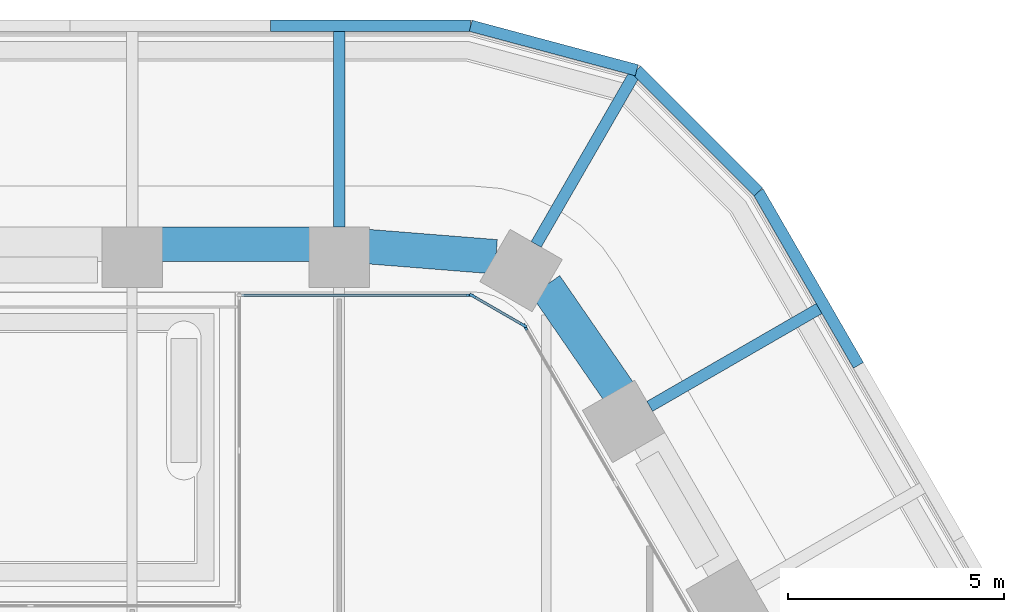
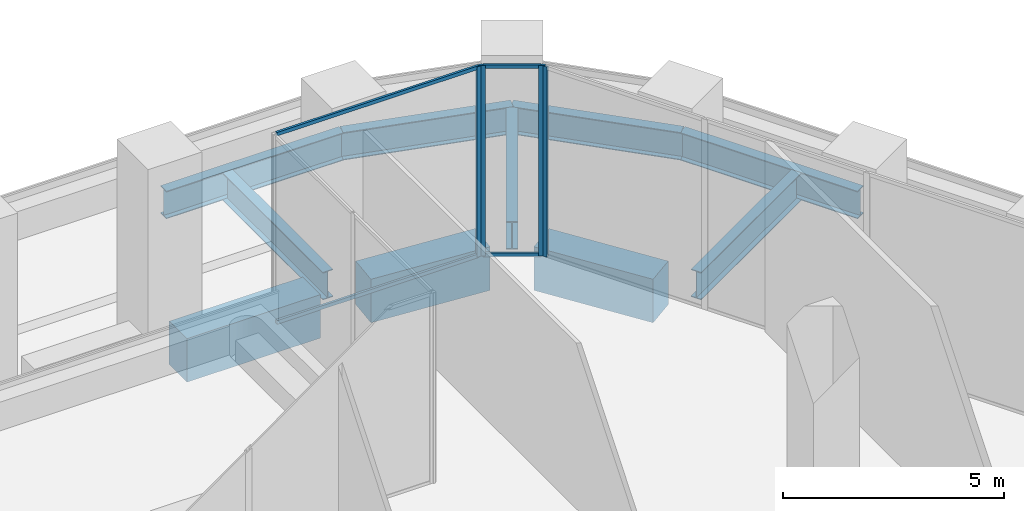
# One storey, part 15 of 30: 10 beams, 8 members, 3 elements without a shape of their own.
"""IFC4 building model written with IfcOpenShell, lengths in metres."""

from ifc_helpers import new_model, si_unit, direction, frame, origin, origin_2d, place, context, subcontext, project, spatial, rectangle, i_section, extrude, material, material_profile, profile_set, type_object, element, aggregate, save


model = new_model("IFC4")

# Units and contexts
model_context = context("Model", 3, precision=1e-05, world=origin(), true_north=direction((0.0, 1.0)))
body_context = subcontext(model_context, "Body", "Model", "MODEL_VIEW")
ifc_project = project(units=[si_unit("LENGTHUNIT", "METRE"), si_unit("AREAUNIT", "SQUARE_METRE"), si_unit("VOLUMEUNIT", "CUBIC_METRE"), si_unit("PLANEANGLEUNIT", "RADIAN"), si_unit("MASSUNIT", "GRAM", prefix="KILO")], contexts=[model_context])

# Site, building, storey
site_placement = place(None, origin())
site = spatial("IfcSite", under=ifc_project, at=site_placement, CompositionType="ELEMENT")
building_placement = place(site_placement, origin())
building = spatial("IfcBuilding", under=site, at=building_placement, Name="Kolab Exchange Tower", CompositionType="ELEMENT")
storey_placement = place(building_placement, frame((0.0, 0.0, 38.89990234375)))
storey = spatial("IfcBuildingStorey", under=building, at=storey_placement, Name="L07", CompositionType="ELEMENT", Elevation=38.89990234375)

# Beams
ifc_material_1 = material(Name="Steel S355", Category="steel")
ifc_material_profile_1 = material_profile(ifc_material_1, i_section(OverallWidth=0.26708984375, OverallDepth=0.761962890625, WebThickness=0.014404296875, FlangeThickness=0.021484375, at=origin_2d()), Name="W760X173")
ifc_profile_set_1 = profile_set([ifc_material_profile_1], Name="Steel S355")
beam_type_1 = type_object("IfcBeamType", Name="FLOOR GIRDER W760X173", PredefinedType="BEAM", material=ifc_profile_set_1)
beam_1_placement = place(storey_placement, frame((14.39990234375, 33.25537109375, -0.69091796875), z_axis=(0.0, 1.0, 0.0), x_axis=(-1.0, 0.0, 0.0)))
element("IfcBeam", 1, at=beam_1_placement, inside=storey, type_object=beam_type_1, Name="beam/L07/ledge/rib-07", PredefinedType="BEAM", context=body_context, shape_type="SweptSolid", body=[
    extrude(i_section(OverallWidth=0.26708984375, OverallDepth=0.761962890625, WebThickness=0.014404296875, FlangeThickness=0.021484375, at=origin_2d()), origin(), (0.0, 0.0, 1.0), 4.532958984375),
])
beam_2_placement = place(storey_placement, frame((18.968017578125, 32.853515625, -0.69091796875), z_axis=(0.499991315771, 0.866030417568, 0.0), x_axis=(-0.866030417568, 0.499991315771, 0.0)))
element("IfcBeam", 2, at=beam_2_placement, inside=storey, type_object=beam_type_1, Name="beam/L07/ledge/rib-08", PredefinedType="BEAM", context=body_context, shape_type="SweptSolid", body=[
    extrude(i_section(OverallWidth=0.26708984375, OverallDepth=0.761962890625, WebThickness=0.014404296875, FlangeThickness=0.021484375, at=origin_2d()), origin(), (0.0, 0.0, 1.0), 4.53271484375),
])
beam_3_placement = place(storey_placement, frame((21.60009765625, 29.098388671875, -0.69091796875), z_axis=(0.866007095043, 0.500031710329, 0.0), x_axis=(-0.500031710329, 0.866007095043, 0.0)))
element("IfcBeam", 3, at=beam_3_placement, inside=storey, type_object=beam_type_1, Name="beam/L07/ledge/rib-09", PredefinedType="BEAM", context=body_context, shape_type="SweptSolid", body=[
    extrude(i_section(OverallWidth=0.26708984375, OverallDepth=0.761962890625, WebThickness=0.014404296875, FlangeThickness=0.021484375, at=origin_2d()), origin(), (0.0, 0.0, 1.0), 4.532958984375),
])
beam_4_placement = place(storey_placement, frame((12.80517578125, 37.921875, -0.69091796875), z_axis=(1.0, 0.0, 0.0), x_axis=(0.0, 1.0, 0.0)))
element("IfcBeam", 4, at=beam_4_placement, inside=storey, type_object=beam_type_1, Name="beam/L07/ledge/edge-08", PredefinedType="BEAM", context=body_context, shape_type="SweptSolid", body=[
    extrude(i_section(OverallWidth=0.26708984375, OverallDepth=0.761962890625, WebThickness=0.014404296875, FlangeThickness=0.021484375, at=origin_2d()), origin(), (0.0, 0.0, 1.0), 4.64501953125),
])
beam_5_placement = place(storey_placement, frame((17.4501953125, 37.921875, -0.69091796875), z_axis=(0.965925076742, -0.258821842436, 0.0), x_axis=(0.258821842436, 0.965925076742, 0.0)))
element("IfcBeam", 5, at=beam_5_placement, inside=storey, type_object=beam_type_1, Name="beam/L07/ledge/edge-09", PredefinedType="BEAM", context=body_context, shape_type="SweptSolid", body=[
    extrude(i_section(OverallWidth=0.26708984375, OverallDepth=0.761962890625, WebThickness=0.014404296875, FlangeThickness=0.021484375, at=origin_2d()), origin(), (0.0, 0.0, 1.0), 3.984375),
])
beam_6_placement = place(storey_placement, frame((21.298828125, 36.890625, -0.69091796875), z_axis=(0.707137419059, -0.707076141986, 0.0), x_axis=(0.707076141986, 0.707137419059, 0.0)))
element("IfcBeam", 6, at=beam_6_placement, inside=storey, type_object=beam_type_1, Name="beam/L07/ledge/edge-10", PredefinedType="BEAM", context=body_context, shape_type="SweptSolid", body=[
    extrude(i_section(OverallWidth=0.26708984375, OverallDepth=0.761962890625, WebThickness=0.014404296875, FlangeThickness=0.021484375, at=origin_2d()), origin(), (0.0, 0.0, 1.0), 3.984130859375),
])
beam_7_placement = place(storey_placement, frame((24.1162109375, 34.073486328125, -0.69091796875), z_axis=(0.499977226672, -0.866038551572, 0.0), x_axis=(0.866038551572, 0.499977226672, 0.0)))
element("IfcBeam", 7, at=beam_7_placement, inside=storey, type_object=beam_type_1, Name="beam/L07/ledge/edge-11", PredefinedType="BEAM", context=body_context, shape_type="SweptSolid", body=[
    extrude(i_section(OverallWidth=0.26708984375, OverallDepth=0.761962890625, WebThickness=0.014404296875, FlangeThickness=0.021484375, at=origin_2d()), origin(), (0.0, 0.0, 1.0), 4.645263671875),
])
ifc_material_2 = material(Name="Concrete C80/95", Category="concrete")
ifc_material_profile_2 = material_profile(ifc_material_2, rectangle(XDim=0.800048828125, YDim=1.199951171875, at=origin_2d()), Name="RC800X1200")
ifc_profile_set_2 = profile_set([ifc_material_profile_2], Name="Concrete C80/95")
beam_type_2 = type_object("IfcBeamType", Name="SPANDREL BEAM 800X1200 C80/95", PredefinedType="BEAM", material=ifc_profile_set_2)
beam_8_placement = place(storey_placement, frame((10.260009765625, 32.85546875, -0.849853515625), z_axis=(1.0, 0.0, 0.0), x_axis=(0.0, 1.0, 0.0)))
element("IfcBeam", 8, at=beam_8_placement, inside=storey, type_object=beam_type_2, Name="beam/L07/sp/F1-07", PredefinedType="BEAM", context=body_context, shape_type="SweptSolid", body=[
    extrude(rectangle(XDim=0.800048828125, YDim=1.199951171875, at=origin_2d()), origin(), (0.0, 0.0, 1.0), 3.47998046875),
])
beam_9_placement = place(storey_placement, frame((15.06005859375, 32.802734375, -0.849853515625), z_axis=(0.996833978278, -0.07951112973, 0.0), x_axis=(0.07951112973, 0.996833978278, 0.0)))
element("IfcBeam", 9, at=beam_9_placement, inside=storey, type_object=beam_type_2, Name="beam/L07/sp/F1-08", PredefinedType="BEAM", context=body_context, shape_type="SweptSolid", body=[
    extrude(rectangle(XDim=0.800048828125, YDim=1.199951171875, at=origin_2d()), origin(), (0.0, 0.0, 1.0), 2.984619140625),
])
beam_10_placement = place(storey_placement, frame((19.18505859375, 31.901611328125, -0.849853515625), z_axis=(0.567247290755, -0.823547516013, 0.0), x_axis=(0.823547516013, 0.567247290755, 0.0)))
element("IfcBeam", 10, at=beam_10_placement, inside=storey, type_object=beam_type_2, Name="beam/L07/sp/F2-01", PredefinedType="BEAM", context=body_context, shape_type="SweptSolid", body=[
    extrude(rectangle(XDim=0.800048828125, YDim=1.199951171875, at=origin_2d()), origin(), (0.0, 0.0, 1.0), 2.984375),
])

# Curtain wall, member
ifc_material_3 = material(Name="Aluminium EN AW-6063 T6", Category="aluminium")
curtain_wall_type = type_object("IfcCurtainWallType", Name="UNITISED LOW ZONE CURTAIN WALL", PredefinedType="NOTDEFINED", material=ifc_material_3)
curtain_wall_1_placement = place(storey_placement, origin())
curtain_wall_1 = element("IfcCurtainWall", 11, at=curtain_wall_1_placement, inside=storey, type_object=curtain_wall_type, Name="cw/L07/F1-r-1", PredefinedType="NOTDEFINED")
ifc_material_profile_3 = material_profile(ifc_material_3, rectangle(XDim=0.06005859375, YDim=0.159912109375, at=origin_2d()), Name="RECT 60X160")
ifc_profile_set_3 = profile_set([ifc_material_profile_3], Name="Aluminium EN AW-6063 T6")
member_type_1 = type_object("IfcMemberType", Name="UNITISED LOW ZONE MULLION 60 X 160", PredefinedType="MULLION", material=ifc_profile_set_3)
member_1_placement = place(storey_placement, frame((17.43798828125, 31.67529296875, 0.0), z_axis=(0.0, 0.0, 1.0), x_axis=(0.0, 1.0, 0.0)))
member_1 = element("IfcMember", 12, at=member_1_placement, type_object=member_type_1, Name="CW1 mullion 2", PredefinedType="MULLION", context=body_context, shape_type="SweptSolid", body=[
    extrude(rectangle(XDim=0.06005859375, YDim=0.159912109375, at=origin_2d()), origin(), (0.0, 0.0, 1.0), 5.25),
])

curtain_wall_2_placement = place(storey_placement, origin())
curtain_wall_2 = element("IfcCurtainWall", 13, at=curtain_wall_2_placement, inside=storey, type_object=curtain_wall_type, Name="cw/L07/F2-1", PredefinedType="NOTDEFINED")
member_2_placement = place(storey_placement, frame((18.712646484375, 30.939453125, 0.0), z_axis=(0.0, 0.0, 1.0), x_axis=(0.866025393644, 0.500000017564, 0.0)))
member_2 = element("IfcMember", 14, at=member_2_placement, type_object=member_type_1, Name="CW1 mullion 1", PredefinedType="MULLION", context=body_context, shape_type="SweptSolid", body=[
    extrude(rectangle(XDim=0.06005859375, YDim=0.159912109375, at=origin_2d()), origin(), (0.0, 0.0, 1.0), 5.25),
])
aggregate(curtain_wall_2, [member_2])

# Curtain wall, members
curtain_wall_3_placement = place(storey_placement, origin())
curtain_wall_3 = element("IfcCurtainWall", 15, at=curtain_wall_3_placement, inside=storey, type_object=curtain_wall_type, Name="cw/L07/F1F2-corner", PredefinedType="NOTDEFINED")
member_3_placement = place(storey_placement, frame((17.493896484375, 31.660400390625, 0.0), z_axis=(0.0, 0.0, 1.0), x_axis=(0.50000002237, 0.866025390869, 0.0)))
member_3 = element("IfcMember", 16, at=member_3_placement, type_object=member_type_1, Name="CW1 mullion 1", PredefinedType="MULLION", context=body_context, shape_type="SweptSolid", body=[
    extrude(rectangle(XDim=0.06005859375, YDim=0.159912109375, at=origin_2d()), origin(), (0.0, 0.0, 1.0), 5.25),
])
member_4_placement = place(storey_placement, frame((18.671630859375, 30.98046875, 0.0), z_axis=(0.0, 0.0, 1.0), x_axis=(0.50000002237, 0.866025390869, 0.0)))
member_4 = element("IfcMember", 17, at=member_4_placement, type_object=member_type_1, Name="CW1 mullion 2", PredefinedType="MULLION", context=body_context, shape_type="SweptSolid", body=[
    extrude(rectangle(XDim=0.06005859375, YDim=0.159912109375, at=origin_2d()), origin(), (0.0, 0.0, 1.0), 5.25),
])

# Member
ifc_material_profile_4 = material_profile(ifc_material_3, rectangle(XDim=0.06005859375, YDim=0.10009765625, at=origin_2d()), Name="RECT 60X100")
ifc_profile_set_4 = profile_set([ifc_material_profile_4], Name="Aluminium EN AW-6063 T6")
member_type_2 = type_object("IfcMemberType", Name="UNITISED LOW ZONE TRANSOM 60 X 100", PredefinedType="USERDEFINED", material=ifc_profile_set_4)
member_5_placement = place(storey_placement, frame((12.139892578125, 31.67529296875, 0.030029296875), z_axis=(1.0, 0.0, 0.0), x_axis=(0.0, 1.0, 0.0)))
member_5 = element("IfcMember", 18, at=member_5_placement, type_object=member_type_2, Name="CW1 transom 1.1", ObjectType="TRANSOM", PredefinedType="USERDEFINED", context=body_context, shape_type="SweptSolid", body=[
    extrude(rectangle(XDim=0.06005859375, YDim=0.10009765625, at=origin_2d()), origin(), (0.0, 0.0, 1.0), 5.26806640625),
])

member_6_placement = place(storey_placement, frame((12.139892578125, 31.67529296875, 5.22021484375), z_axis=(1.0, 0.0, 0.0), x_axis=(0.0, 1.0, 0.0)))
member_6 = element("IfcMember", 19, at=member_6_placement, type_object=member_type_2, Name="CW1 transom 1.2", ObjectType="TRANSOM", PredefinedType="USERDEFINED", context=body_context, shape_type="SweptSolid", body=[
    extrude(rectangle(XDim=0.06005859375, YDim=0.10009765625, at=origin_2d()), origin(), (0.0, 0.0, 1.0), 5.26806640625),
])

aggregate(curtain_wall_1, [member_1, member_5, member_6])

member_7_placement = place(storey_placement, frame((17.52001953125, 31.645263671875, 0.030029296875), z_axis=(0.86603858612, -0.49997716683, 0.0), x_axis=(0.49997716683, 0.86603858612, 0.0)))
member_7 = element("IfcMember", 20, at=member_7_placement, type_object=member_type_2, Name="CW1 transom 1.1", ObjectType="TRANSOM", PredefinedType="USERDEFINED", context=body_context, shape_type="SweptSolid", body=[
    extrude(rectangle(XDim=0.06005859375, YDim=0.10009765625, at=origin_2d()), origin(), (0.0, 0.0, 1.0), 1.2998046875),
])

member_8_placement = place(storey_placement, frame((17.52001953125, 31.645263671875, 5.22021484375), z_axis=(0.86603858612, -0.49997716683, 0.0), x_axis=(0.49997716683, 0.86603858612, 0.0)))
member_8 = element("IfcMember", 21, at=member_8_placement, type_object=member_type_2, Name="CW1 transom 1.2", ObjectType="TRANSOM", PredefinedType="USERDEFINED", context=body_context, shape_type="SweptSolid", body=[
    extrude(rectangle(XDim=0.06005859375, YDim=0.10009765625, at=origin_2d()), origin(), (0.0, 0.0, 1.0), 1.2998046875),
])

aggregate(curtain_wall_3, [member_3, member_4, member_7, member_8])

save(model, "model.ifc")
